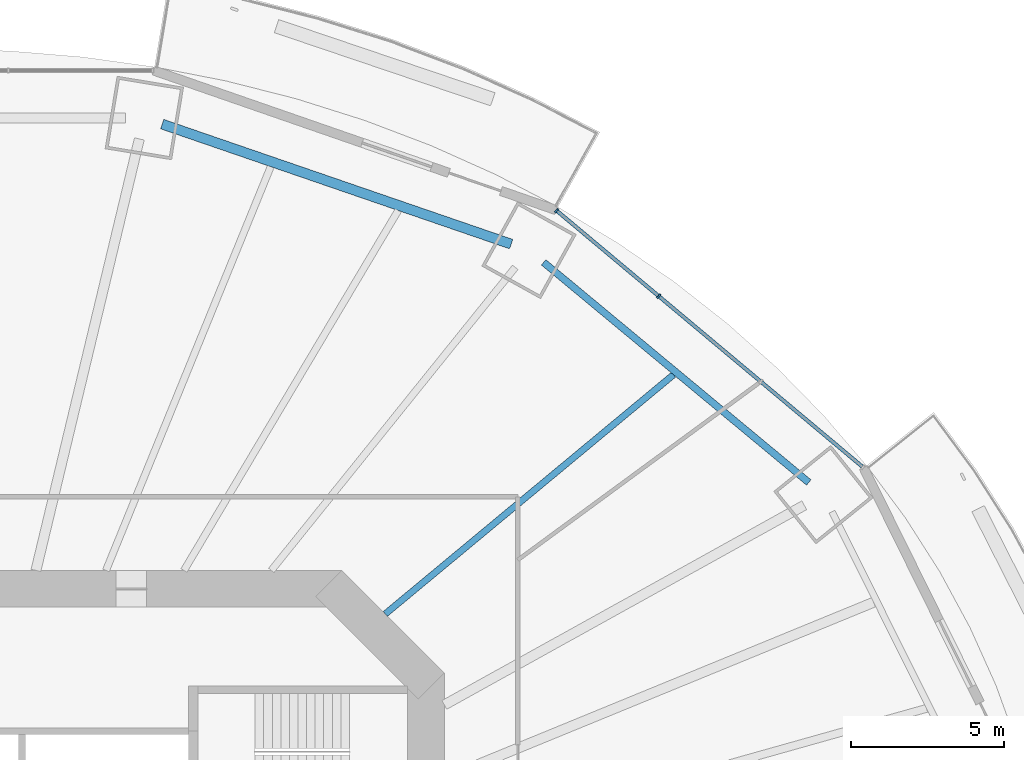
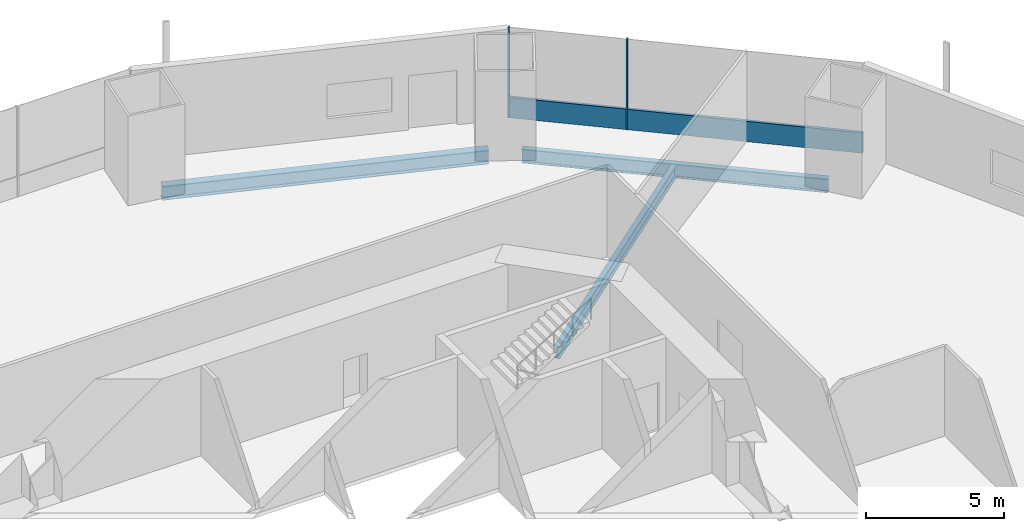
# One storey, part 10 of 23: 3 beams, 3 members, 1 element without a shape of its own.
"""IFC4 building model written with IfcOpenShell, lengths in metres."""

from ifc_helpers import new_model, si_unit, direction, frame, origin, origin_2d, place, context, subcontext, project, spatial, rectangle, i_section, extrude, material, material_profile, profile_set, type_object, element, aggregate, save


model = new_model("IFC4")

# Units and contexts
model_context = context("Model", 3, precision=1e-05, world=origin(), true_north=direction((0.0, 1.0)))
body_context = subcontext(model_context, "Body", "Model", "MODEL_VIEW")
ifc_project = project(units=[si_unit("LENGTHUNIT", "METRE"), si_unit("AREAUNIT", "SQUARE_METRE"), si_unit("VOLUMEUNIT", "CUBIC_METRE"), si_unit("PLANEANGLEUNIT", "RADIAN"), si_unit("MASSUNIT", "GRAM", prefix="KILO")], contexts=[model_context])

# Site, building, storey
site_placement = place(None, origin())
site = spatial("IfcSite", under=ifc_project, at=site_placement, CompositionType="ELEMENT")
building_placement = place(site_placement, origin())
building = spatial("IfcBuilding", under=site, at=building_placement, Name="Marenthal Gate Tower", CompositionType="ELEMENT")
storey_placement = place(building_placement, frame((0.0, 0.0, 53.75)))
storey = spatial("IfcBuildingStorey", under=building, at=storey_placement, Name="L09", CompositionType="ELEMENT", Elevation=53.75)

# Curtain wall, members
ifc_material_1 = material(Name="Aluminium and glass", Category="aluminium")
curtain_wall_type = type_object("IfcCurtainWallType", Name="Curtain wall typical low", PredefinedType="NOTDEFINED", material=ifc_material_1)
curtain_wall_placement = place(storey_placement, origin())
curtain_wall = element("IfcCurtainWall", 1, at=curtain_wall_placement, inside=storey, type_object=curtain_wall_type, Name="Curtain wall L09 bay 2", PredefinedType="NOTDEFINED")
ifc_material_2 = material(Name="Aluminium", Category="aluminium")
ifc_material_profile_1 = material_profile(ifc_material_2, rectangle(XDim=0.159912109375, YDim=0.06005859375, at=origin_2d()), Name="60x160 aluminium mullion")
ifc_profile_set_1 = profile_set([ifc_material_profile_1], Name="Aluminium")
member_type_1 = type_object("IfcMemberType", Name="Mullion 60x160 typical low", PredefinedType="MULLION", material=ifc_profile_set_1)
member_1_placement = place(storey_placement, frame((23.6025390625, 22.5595703125, 0.0), z_axis=(0.0, 0.0, 1.0), x_axis=(-0.642047277641, -0.766665046336, 0.0)))
member_1 = element("IfcMember", 2, at=member_1_placement, type_object=member_type_1, Name="Mullion L09 bay 2.3", PredefinedType="MULLION", context=body_context, shape_type="SweptSolid", body=[
    extrude(rectangle(XDim=0.159912109375, YDim=0.06005859375, at=origin_2d()), origin(), (0.0, 0.0, 1.0), 3.969970703125),
])
member_2_placement = place(storey_placement, frame((20.266845703125, 25.35302734375, 0.0), z_axis=(0.0, 0.0, 1.0), x_axis=(-0.642047277641, -0.766665046336, 0.0)))
member_2 = element("IfcMember", 3, at=member_2_placement, type_object=member_type_1, Name="Mullion L09 bay 2.4", PredefinedType="MULLION", context=body_context, shape_type="SweptSolid", body=[
    extrude(rectangle(XDim=0.159912109375, YDim=0.06005859375, at=origin_2d()), origin(), (0.0, 0.0, 1.0), 3.969970703125),
])
ifc_material_3 = material(Name="Aluminium", Category="aluminium")
ifc_material_profile_2 = material_profile(ifc_material_3, rectangle(XDim=0.1201171875, YDim=0.89990234375, at=origin_2d()), Name="120x900 aluminium transom")
ifc_profile_set_2 = profile_set([ifc_material_profile_2], Name="Aluminium")
member_type_2 = type_object("IfcMemberType", Name="Transom 120x900 typical low", PredefinedType="USERDEFINED", material=ifc_profile_set_2)
member_3_placement = place(storey_placement, frame((30.251220703125, 16.99169921875, 0.449951171875), z_axis=(-0.766672707648, 0.6420381292, 0.0), x_axis=(-0.6420381292, -0.766672707648, 0.0)))
member_3 = element("IfcMember", 4, at=member_3_placement, type_object=member_type_2, Name="Transom L09 bay 2", ObjectType="TRANSOM", PredefinedType="USERDEFINED", context=body_context, shape_type="SweptSolid", body=[
    extrude(rectangle(XDim=0.1201171875, YDim=0.89990234375, at=origin_2d()), origin(), (0.0, 0.0, 1.0), 12.9931640625),
])
aggregate(curtain_wall, [member_1, member_2, member_3])

# Beams
ifc_material_4 = material(Name="Steel S355", Category="steel")
ifc_material_profile_3 = material_profile(ifc_material_4, i_section(OverallWidth=0.2119140625, OverallDepth=0.5439453125, WebThickness=0.01318359375, FlangeThickness=0.021240234375, FilletRadius=0.0126953125, at=origin_2d()), Name="W530X123")
ifc_profile_set_3 = profile_set([ifc_material_profile_3], Name="Steel S355")
beam_type_1 = type_object("IfcBeamType", Name="W530X123 beam", PredefinedType="BEAM", material=ifc_profile_set_3)
beam_1_placement = place(storey_placement, frame((24.085205078125, 19.99267578125, -0.451904296875), z_axis=(-0.769446518411, -0.638711245639, 0.0), x_axis=(0.638711245639, -0.769446518411, 0.0)))
element("IfcBeam", 5, at=beam_1_placement, inside=storey, type_object=beam_type_1, Name="BM-L09-19", PredefinedType="BEAM", context=body_context, shape_type="SweptSolid", body=[
    extrude(i_section(OverallWidth=0.2119140625, OverallDepth=0.5439453125, WebThickness=0.01318359375, FlangeThickness=0.021240234375, FilletRadius=0.0126953125, at=origin_2d()), origin(), (0.0, 0.0, 1.0), 12.235595703125),
])
ifc_material_5 = material(Name="Steel S355", Category="steel")
ifc_material_profile_4 = material_profile(ifc_material_5, i_section(OverallWidth=0.22900390625, OverallDepth=0.612060546875, WebThickness=0.011962890625, FlangeThickness=0.01953125, FilletRadius=0.0126953125, at=origin_2d()), Name="W610X125")
ifc_profile_set_4 = profile_set([ifc_material_profile_4], Name="Steel S355")
beam_type_2 = type_object("IfcBeamType", Name="W610X125 beam", PredefinedType="BEAM", material=ifc_profile_set_4)
beam_2_placement = place(storey_placement, frame((28.50439453125, 16.472900390625, -0.486083984375), z_axis=(-0.76943582663, 0.638724125658, 0.0), x_axis=(-0.638724125658, -0.76943582663, 0.0)))
element("IfcBeam", 6, at=beam_2_placement, inside=storey, type_object=beam_type_2, Name="BM-L09-42", PredefinedType="BEAM", context=body_context, shape_type="SweptSolid", body=[
    extrude(i_section(OverallWidth=0.22900390625, OverallDepth=0.612060546875, WebThickness=0.011962890625, FlangeThickness=0.01953125, FilletRadius=0.0126953125, at=origin_2d()), origin(), (0.0, 0.0, 1.0), 11.257080078125),
])
ifc_material_6 = material(Name="Steel S355", Category="steel")
ifc_material_profile_5 = material_profile(ifc_material_6, i_section(OverallWidth=0.324951171875, OverallDepth=0.612060546875, WebThickness=0.0126953125, FlangeThickness=0.01904296875, FilletRadius=0.0126953125, at=origin_2d()), Name="W610X155")
ifc_profile_set_5 = profile_set([ifc_material_profile_5], Name="Steel S355")
beam_type_3 = type_object("IfcBeamType", Name="W610X155 beam", PredefinedType="BEAM", material=ifc_profile_set_5)
beam_3_placement = place(storey_placement, frame((18.782470703125, 24.25927734375, -0.486083984375), z_axis=(-0.945659940371, 0.325157311431, 0.0), x_axis=(-0.325157311431, -0.945659940371, 0.0)))
element("IfcBeam", 7, at=beam_3_placement, inside=storey, type_object=beam_type_3, Name="BM-L09-43", PredefinedType="BEAM", context=body_context, shape_type="SweptSolid", body=[
    extrude(i_section(OverallWidth=0.324951171875, OverallDepth=0.612060546875, WebThickness=0.0126953125, FlangeThickness=0.01904296875, FilletRadius=0.0126953125, at=origin_2d()), origin(), (0.0, 0.0, 1.0), 12.0546875),
])

save(model, "model.ifc")
